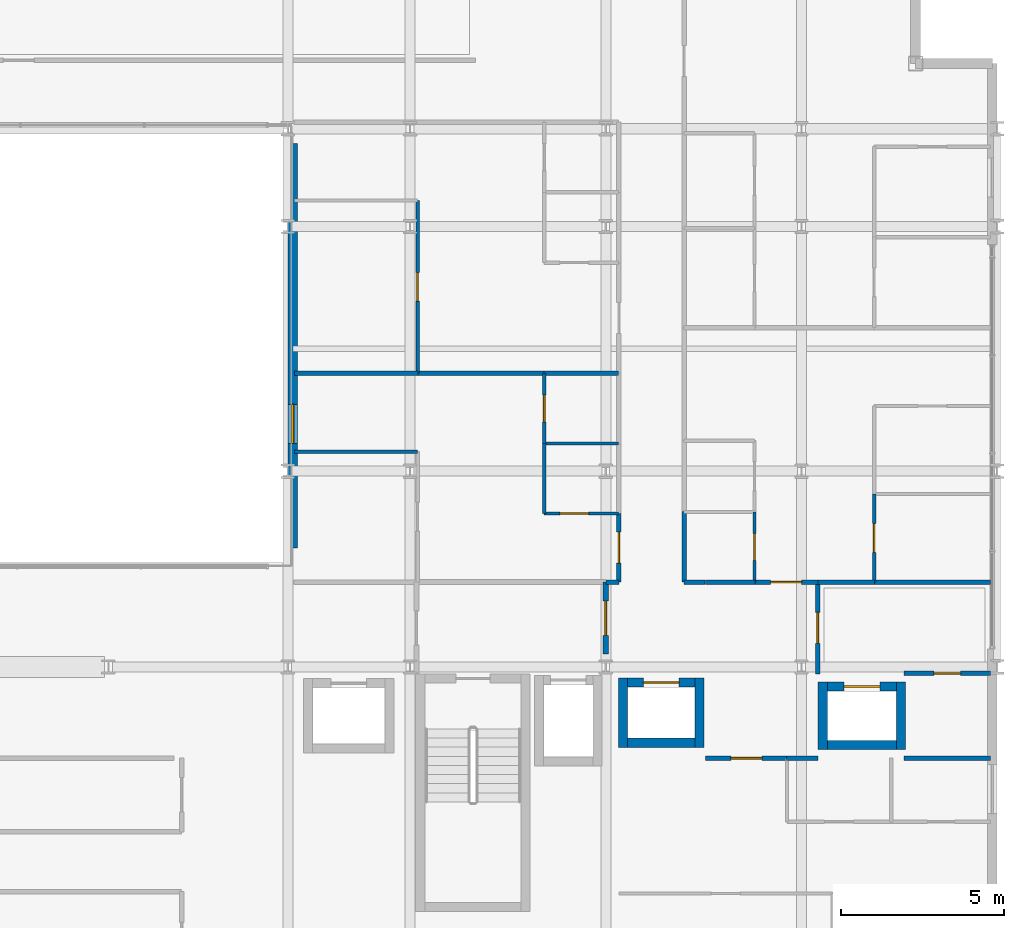
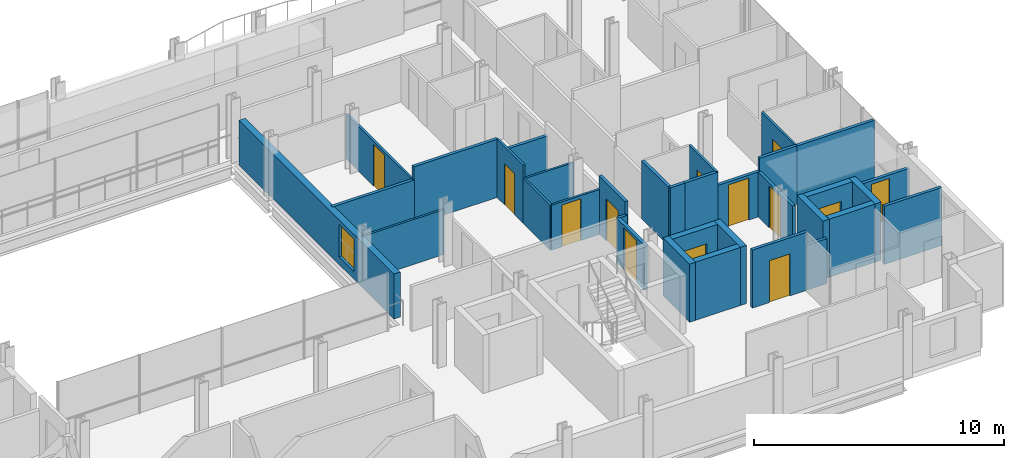
# One storey, part 35 of 41: 34 walls, 13 doors, 1 window, 14 openings.
"""IFC4 building model written with IfcOpenShell, lengths in metres."""

from ifc_helpers import new_model, si_unit, direction, frame, frame_2d, origin, place, context, subcontext, project, spatial, rectangle, extrude, material, layer, layer_set, type_object, element, fill, save


model = new_model("IFC4")

# Units and contexts
model_context = context("Model", 3, precision=1e-05, world=origin(), true_north=direction((0.0, 1.0)))
body_context = subcontext(model_context, "Body", "Model", "MODEL_VIEW")
ifc_project = project(units=[si_unit("LENGTHUNIT", "METRE"), si_unit("AREAUNIT", "SQUARE_METRE"), si_unit("VOLUMEUNIT", "CUBIC_METRE"), si_unit("PLANEANGLEUNIT", "RADIAN"), si_unit("MASSUNIT", "GRAM", prefix="KILO")], contexts=[model_context])

# Site, building, storey
site_placement = place(None, origin())
site = spatial("IfcSite", under=ifc_project, at=site_placement, CompositionType="ELEMENT")
building_placement = place(site_placement, origin())
building = spatial("IfcBuilding", under=site, at=building_placement, Name="Brevholm Reach", CompositionType="ELEMENT")
storey_placement = place(building_placement, frame((0.0, 0.0, 93.10009765625)))
storey = spatial("IfcBuildingStorey", under=building, at=storey_placement, Name="L27", CompositionType="ELEMENT", Elevation=93.10009765625)

# Walls
ifc_material_1 = material(Name="Concrete C50/60", Category="concrete")
ifc_layer_1 = layer(ifc_material_1, 0.280029296875)
ifc_layer_set_1 = layer_set([ifc_layer_1], Name="Concrete C50/60")
wall_type_1 = type_object("IfcWallType", Name="WAL-COR-280", PredefinedType="SHEAR", material=ifc_layer_set_1)
for number, where, z_axis, x_axis, name in (
    (1, (48.52490234375, 7.534912109375, 0.0), (0.0, 0.0, 1.0), (0.0, 1.0, 0.0), "L27 Lift PL-L1 Shaft Wall W"),
    (2, (50.875, 7.534912109375, 0.0), (0.0, 0.0, 1.0), (0.0, 1.0, 0.0), "L27 Lift PL-L1 Shaft Wall E"),
):
    element("IfcWall", number, at=place(storey_placement, frame(where, z_axis=z_axis, x_axis=x_axis)), inside=storey, type_object=wall_type_1, Name=name, PredefinedType="SHEAR", context=body_context, shape_type="SweptSolid", body=[
        extrude(rectangle(XDim=2.130126953125, YDim=0.280029296875, at=frame_2d((1.06494140625, 0.0))), origin(), (0.0, 0.0, 1.0), 2.83984375),
    ])
wall_1_placement = place(storey_placement, frame((48.6650390625, 7.675048828125, 0.0), z_axis=(0.0, 0.0, 1.0), x_axis=(1.0, 0.0, 0.0)))
element("IfcWall", 3, at=wall_1_placement, inside=storey, type_object=wall_type_1, Name="L27 Lift PL-L1 Shaft Wall S", PredefinedType="SHEAR", context=body_context, shape_type="SweptSolid", body=[
    extrude(rectangle(XDim=2.070068359375, YDim=0.280029296875, at=frame_2d((1.03515625, 0.0))), origin(), (0.0, 0.0, 1.0), 2.83984375),
])

# Wall, opening, door
wall_2_placement = place(storey_placement, frame((48.6650390625, 9.52490234375, 0.0), z_axis=(0.0, 0.0, 1.0), x_axis=(1.0, 0.0, 0.0)))
wall_2 = element("IfcWall", 4, at=wall_2_placement, inside=storey, type_object=wall_type_1, Name="L27 Lift PL-L1 Shaft Wall N", PredefinedType="SHEAR", context=body_context, shape_type="SweptSolid", body=[
    extrude(rectangle(XDim=2.070068359375, YDim=0.280029296875, at=frame_2d((1.03515625, 0.0))), origin(), (0.0, 0.0, 1.0), 2.83984375),
])
opening_1_placement = place(wall_2_placement, frame((0.485107421875, 0.0, 0.0)))
opening_1 = element("IfcOpeningElement", 5, at=opening_1_placement, cuts=wall_2, Name="Opening LD-PL-L1", PredefinedType="OPENING", context=body_context, shape_type="SweptSolid", body=[
    extrude(rectangle(XDim=1.10009765625, YDim=2.06005859375, at=frame_2d((0.550048828125, 1.030029296875))), frame((0.0, 0.14990234375, 0.0), z_axis=(0.0, -1.0, 0.0), x_axis=(1.0, 0.0, 0.0)), (0.0, 0.0, 1.0), 0.300048828125),
])
ifc_material_2 = material(Name="Brushed Stainless Steel Fire-Rated Sliding Lift Door", Category="steel")
door_type_1 = type_object("IfcDoorType", Name="DOR-LFT-1100", OperationType="NOTDEFINED", PredefinedType="DOOR", material=ifc_material_2)
door_1_placement = place(opening_1_placement, origin())
door_1 = element("IfcDoor", 6, at=door_1_placement, inside=storey, type_object=door_type_1, Name="L27 Lift PL-L1 Sliding Landing Door", OperationType="SLIDING_TO_LEFT", OverallHeight=2.06005859375, OverallWidth=1.10009765625, PredefinedType="DOOR", context=body_context, shape_type="SweptSolid", body=[
    extrude(rectangle(XDim=1.10009765625, YDim=2.06005859375, at=frame_2d((0.550048828125, 1.030029296875))), frame((0.0, 0.02490234375, 0.0), z_axis=(0.0, -1.0, 0.0), x_axis=(1.0, 0.0, 0.0)), (0.0, 0.0, 1.0), 0.050048828125),
])
fill(opening_1, door_1)

# Walls
for number, where, z_axis, x_axis, name in (
    (7, (54.64990234375, 7.4599609375, 0.0), (0.0, 0.0, 1.0), (0.0, 1.0, 0.0), "L27 Lift PL-L2 Shaft Wall W"),
    (8, (57.050048828125, 7.4599609375, 0.0), (0.0, 0.0, 1.0), (0.0, 1.0, 0.0), "L27 Lift PL-L2 Shaft Wall E"),
):
    element("IfcWall", number, at=place(storey_placement, frame(where, z_axis=z_axis, x_axis=x_axis)), inside=storey, type_object=wall_type_1, Name=name, PredefinedType="SHEAR", context=body_context, shape_type="SweptSolid", body=[
        extrude(rectangle(XDim=2.080078125, YDim=0.280029296875, at=frame_2d((1.0400390625, 0.0))), origin(), (0.0, 0.0, 1.0), 2.83984375),
    ])
wall_3_placement = place(storey_placement, frame((54.7900390625, 7.60009765625, 0.0), z_axis=(0.0, 0.0, 1.0), x_axis=(1.0, 0.0, 0.0)))
element("IfcWall", 9, at=wall_3_placement, inside=storey, type_object=wall_type_1, Name="L27 Lift PL-L2 Shaft Wall S", PredefinedType="SHEAR", context=body_context, shape_type="SweptSolid", body=[
    extrude(rectangle(XDim=2.119873046875, YDim=0.280029296875, at=frame_2d((1.06005859375, 0.0))), origin(), (0.0, 0.0, 1.0), 2.83984375),
])

# Wall, opening, door
wall_4_placement = place(storey_placement, frame((54.7900390625, 9.39990234375, 0.0), z_axis=(0.0, 0.0, 1.0), x_axis=(1.0, 0.0, 0.0)))
wall_4 = element("IfcWall", 10, at=wall_4_placement, inside=storey, type_object=wall_type_1, Name="L27 Lift PL-L2 Shaft Wall N", PredefinedType="SHEAR", context=body_context, shape_type="SweptSolid", body=[
    extrude(rectangle(XDim=2.119873046875, YDim=0.280029296875, at=frame_2d((1.06005859375, 0.0))), origin(), (0.0, 0.0, 1.0), 2.83984375),
])
opening_2_placement = place(wall_4_placement, frame((0.510009765625, 0.0, 0.0)))
opening_2 = element("IfcOpeningElement", 11, at=opening_2_placement, cuts=wall_4, Name="Opening LD-PL-L2", PredefinedType="OPENING", context=body_context, shape_type="SweptSolid", body=[
    extrude(rectangle(XDim=1.10009765625, YDim=2.06005859375, at=frame_2d((0.550048828125, 1.030029296875))), frame((0.0, 0.14990234375, 0.0), z_axis=(0.0, -1.0, 0.0), x_axis=(1.0, 0.0, 0.0)), (0.0, 0.0, 1.0), 0.300048828125),
])
door_2_placement = place(opening_2_placement, origin())
door_2 = element("IfcDoor", 12, at=door_2_placement, inside=storey, type_object=door_type_1, Name="L27 Lift PL-L2 Sliding Landing Door", OperationType="SLIDING_TO_RIGHT", OverallHeight=2.06005859375, OverallWidth=1.10009765625, PredefinedType="DOOR", context=body_context, shape_type="SweptSolid", body=[
    extrude(rectangle(XDim=1.10009765625, YDim=2.06005859375, at=frame_2d((0.550048828125, 1.030029296875))), frame((0.0, 0.02490234375, 0.0), z_axis=(0.0, -1.0, 0.0), x_axis=(1.0, 0.0, 0.0)), (0.0, 0.0, 1.0), 0.050048828125),
])
fill(opening_2, door_2)

# Wall, opening, window
ifc_material_3 = material(Name="Concrete C40/50", Category="concrete")
ifc_layer_2 = layer(ifc_material_3, 0.300048828125)
ifc_layer_set_2 = layer_set([ifc_layer_2], Name="Concrete C40/50")
wall_type_2 = type_object("IfcWallType", Name="WAL-EXT-300", PredefinedType="STANDARD", material=ifc_layer_set_2)
wall_5_placement = place(storey_placement, frame((38.39990234375, 13.64990234375, 0.0), z_axis=(0.0, 0.0, 1.0), x_axis=(0.0, 1.0, 0.0)))
wall_5 = element("IfcWall", 13, at=wall_5_placement, inside=storey, type_object=wall_type_2, Name="L27 Facade Wall WAL-L27-AT-E", PredefinedType="STANDARD", context=body_context, shape_type="SweptSolid", body=[
    extrude(rectangle(XDim=12.400146484375, YDim=0.300048828125, at=frame_2d((6.2001953125, 0.0))), origin(), (0.0, 0.0, 1.0), 2.19482421875),
])
opening_3_placement = place(wall_5_placement, frame((3.199951171875, 0.0, 0.375)))
opening_3 = element("IfcOpeningElement", 14, at=opening_3_placement, cuts=wall_5, Name="Opening WN-08", PredefinedType="OPENING", context=body_context, shape_type="SweptSolid", body=[
    extrude(rectangle(XDim=1.199951171875, YDim=1.60009765625, at=frame_2d((0.60009765625, 0.800048828125))), frame((0.0, 0.159912109375, 0.0), z_axis=(0.0, -1.0, 0.0), x_axis=(1.0, 0.0, 0.0)), (0.0, 0.0, 1.0), 0.320068359375),
])
ifc_material_4 = material(Name="Dark Anodised Aluminium and Solar-Control IGU Glass", Category="aluminium")
window_type = type_object("IfcWindowType", Name="WIN-RES-1200", PartitioningType="SINGLE_PANEL", PredefinedType="WINDOW", material=ifc_material_4)
window_placement = place(opening_3_placement, origin())
window = element("IfcWindow", 15, at=window_placement, inside=storey, type_object=window_type, Name="L27 Window WIN-L27-AT-E1", OverallHeight=1.60009765625, OverallWidth=1.199951171875, PartitioningType="SINGLE_PANEL", PredefinedType="WINDOW", context=body_context, shape_type="SweptSolid", body=[
    extrude(rectangle(XDim=1.199951171875, YDim=1.60009765625, at=frame_2d((0.60009765625, 0.800048828125))), frame((0.0, 0.030029296875, 0.0), z_axis=(0.0, -1.0, 0.0), x_axis=(1.0, 0.0, 0.0)), (0.0, 0.0, 1.0), 0.06005859375),
])
fill(opening_3, window)

# Wall
ifc_material_5 = material(Name="Moisture-Resistant Acoustic Gypsum Stud Partition 100 mm", Category="gypsum")
ifc_layer_3 = layer(ifc_material_5, 0.10009765625)
ifc_layer_set_3 = layer_set([ifc_layer_3], Name="Moisture-Resistant Acoustic Gypsum Stud Partition 100 mm")
wall_type_3 = type_object("IfcWallType", Name="WAL-PRT-100", PredefinedType="PARTITIONING", material=ifc_layer_set_3)
wall_6_placement = place(storey_placement, frame((46.112060546875, 16.85009765625, 0.0), z_axis=(0.0, 0.0, 1.0), x_axis=(1.0, 0.0, 0.0)))
element("IfcWall", 16, at=wall_6_placement, inside=storey, type_object=wall_type_3, Name="L27 Internal Partition 130", PredefinedType="PARTITIONING", context=body_context, shape_type="SweptSolid", body=[
    extrude(rectangle(XDim=2.283935546875, YDim=0.10009765625, at=frame_2d((1.14208984375, 0.0))), origin(), (0.0, 0.0, 1.0), 2.19482421875),
])

# Wall, opening, door
wall_7_placement = place(storey_placement, frame((46.112060546875, 16.85009765625, 0.0), z_axis=(0.0, 0.0, 1.0), x_axis=(0.0, 1.0, 0.0)))
wall_7 = element("IfcWall", 17, at=wall_7_placement, inside=storey, type_object=wall_type_3, Name="L27 Internal Partition 131", PredefinedType="PARTITIONING", context=body_context, shape_type="SweptSolid", body=[
    extrude(rectangle(XDim=2.14990234375, YDim=0.10009765625, at=frame_2d((1.074951171875, 0.0))), origin(), (0.0, 0.0, 1.0), 2.83984375),
])
opening_4_placement = place(wall_7_placement, frame((0.6650390625, 0.0, 0.0)))
opening_4 = element("IfcOpeningElement", 18, at=opening_4_placement, cuts=wall_7, Name="Opening ID-03", PredefinedType="OPENING", context=body_context, shape_type="SweptSolid", body=[
    extrude(rectangle(XDim=0.820068359375, YDim=2.02001953125, at=frame_2d((0.41015625, 1.010009765625))), frame((0.0, 0.06005859375, 0.0), z_axis=(0.0, -1.0, 0.0), x_axis=(1.0, 0.0, 0.0)), (0.0, 0.0, 1.0), 0.1201171875),
])
ifc_material_6 = material(Name="Moisture-Resistant Painted Timber Internal Bathroom Door", Category="wood")
door_type_2 = type_object("IfcDoorType", Name="DOR-BATH-820", OperationType="NOTDEFINED", PredefinedType="DOOR", material=ifc_material_6)
door_3_placement = place(opening_4_placement, origin())
door_3 = element("IfcDoor", 19, at=door_3_placement, inside=storey, type_object=door_type_2, Name="L27 Internal Door 049", OperationType="SINGLE_SWING_RIGHT", OverallHeight=2.02001953125, OverallWidth=0.820068359375, PredefinedType="DOOR", context=body_context, shape_type="SweptSolid", body=[
    extrude(rectangle(XDim=0.820068359375, YDim=2.02001953125, at=frame_2d((0.41015625, 1.010009765625))), frame((0.0, 0.02490234375, 0.0), z_axis=(0.0, -1.0, 0.0), x_axis=(1.0, 0.0, 0.0)), (0.0, 0.0, 1.0), 0.050048828125),
])
fill(opening_4, door_3)

wall_8_placement = place(storey_placement, frame((46.112060546875, 14.699951171875, 0.0), z_axis=(0.0, 0.0, 1.0), x_axis=(1.0, 0.0, 0.0)))
wall_8 = element("IfcWall", 20, at=wall_8_placement, inside=storey, type_object=wall_type_3, Name="L27 Internal Partition 133", PredefinedType="PARTITIONING", context=body_context, shape_type="SweptSolid", body=[
    extrude(rectangle(XDim=2.283935546875, YDim=0.10009765625, at=frame_2d((1.14208984375, 0.0))), origin(), (0.0, 0.0, 1.0), 2.19482421875),
])
opening_5_placement = place(wall_8_placement, frame((0.48193359375, 0.0, 0.0)))
opening_5 = element("IfcOpeningElement", 21, at=opening_5_placement, cuts=wall_8, Name="Opening ID-01", PredefinedType="OPENING", context=body_context, shape_type="SweptSolid", body=[
    extrude(rectangle(XDim=0.8798828125, YDim=2.0400390625, at=frame_2d((0.43994140625, 1.02001953125))), frame((0.0, 0.06005859375, 0.0), z_axis=(0.0, -1.0, 0.0), x_axis=(1.0, 0.0, 0.0)), (0.0, 0.0, 1.0), 0.1201171875),
])
ifc_material_7 = material(Name="Lacquered Ash Solid-Core Acoustic Internal Door", Category="timber")
door_type_3 = type_object("IfcDoorType", Name="DOR-INT-880", OperationType="NOTDEFINED", PredefinedType="DOOR", material=ifc_material_7)
door_4_placement = place(opening_5_placement, origin())
door_4 = element("IfcDoor", 22, at=door_4_placement, inside=storey, type_object=door_type_3, Name="L27 Internal Door 050", OperationType="SINGLE_SWING_LEFT", OverallHeight=2.0400390625, OverallWidth=0.8798828125, PredefinedType="DOOR", context=body_context, shape_type="SweptSolid", body=[
    extrude(rectangle(XDim=0.8798828125, YDim=2.0400390625, at=frame_2d((0.43994140625, 1.02001953125))), frame((0.0, 0.02490234375, 0.0), z_axis=(0.0, -1.0, 0.0), x_axis=(1.0, 0.0, 0.0)), (0.0, 0.0, 1.0), 0.050048828125),
])
fill(opening_5, door_4)

# Walls
wall_9_placement = place(storey_placement, frame((46.112060546875, 14.699951171875, 0.0), z_axis=(0.0, 0.0, 1.0), x_axis=(0.0, 1.0, 0.0)))
element("IfcWall", 23, at=wall_9_placement, inside=storey, type_object=wall_type_3, Name="L27 Internal Partition 134", PredefinedType="PARTITIONING", context=body_context, shape_type="SweptSolid", body=[
    extrude(rectangle(XDim=2.14599609375, YDim=0.10009765625, at=frame_2d((1.072998046875, 0.0))), origin(), (0.0, 0.0, 1.0), 2.19482421875),
])
wall_10_placement = place(storey_placement, frame((38.449951171875, 16.60009765625, 0.0), z_axis=(0.0, 0.0, 1.0), x_axis=(1.0, 0.0, 0.0)))
element("IfcWall", 24, at=wall_10_placement, inside=storey, type_object=wall_type_3, Name="L27 Internal Partition 136", PredefinedType="PARTITIONING", context=body_context, shape_type="SweptSolid", body=[
    extrude(rectangle(XDim=3.781005859375, YDim=0.10009765625, at=frame_2d((1.890625, 0.0))), origin(), (0.0, 0.0, 1.0), 2.19482421875),
])

# Wall, opening, door
wall_11_placement = place(storey_placement, frame((42.23095703125, 19.00390625, 0.0), z_axis=(0.0, 0.0, 1.0), x_axis=(0.0, 1.0, 0.0)))
wall_11 = element("IfcWall", 25, at=wall_11_placement, inside=storey, type_object=wall_type_3, Name="L27 Internal Partition 143", PredefinedType="PARTITIONING", context=body_context, shape_type="SweptSolid", body=[
    extrude(rectangle(XDim=5.296142578125, YDim=0.10009765625, at=frame_2d((2.64794921875, 0.0))), origin(), (0.0, 0.0, 1.0), 2.19482421875),
])
opening_6_placement = place(wall_11_placement, frame((2.2080078125, 0.0, 0.0)))
opening_6 = element("IfcOpeningElement", 26, at=opening_6_placement, cuts=wall_11, Name="Opening ID-01", PredefinedType="OPENING", context=body_context, shape_type="SweptSolid", body=[
    extrude(rectangle(XDim=0.8798828125, YDim=2.0400390625, at=frame_2d((0.43994140625, 1.02001953125))), frame((0.0, 0.06005859375, 0.0), z_axis=(0.0, -1.0, 0.0), x_axis=(1.0, 0.0, 0.0)), (0.0, 0.0, 1.0), 0.1201171875),
])
door_5_placement = place(opening_6_placement, origin())
door_5 = element("IfcDoor", 27, at=door_5_placement, inside=storey, type_object=door_type_3, Name="L27 Internal Door 054", OperationType="SINGLE_SWING_LEFT", OverallHeight=2.0400390625, OverallWidth=0.8798828125, PredefinedType="DOOR", context=body_context, shape_type="SweptSolid", body=[
    extrude(rectangle(XDim=0.8798828125, YDim=2.0400390625, at=frame_2d((0.43994140625, 1.02001953125))), frame((0.0, 0.02490234375, 0.0), z_axis=(0.0, -1.0, 0.0), x_axis=(1.0, 0.0, 0.0)), (0.0, 0.0, 1.0), 0.050048828125),
])
fill(opening_6, door_5)

wall_12_placement = place(storey_placement, frame((52.56201171875, 12.60400390625, 0.0), z_axis=(0.0, 0.0, 1.0), x_axis=(0.0, 1.0, 0.0)))
wall_12 = element("IfcWall", 28, at=wall_12_placement, inside=storey, type_object=wall_type_3, Name="L27 Internal Partition 146", PredefinedType="PARTITIONING", context=body_context, shape_type="SweptSolid", body=[
    extrude(rectangle(XDim=2.14599609375, YDim=0.10009765625, at=frame_2d((1.072998046875, 0.0))), origin(), (0.0, 0.0, 1.0), 2.83984375),
])
opening_7_placement = place(wall_12_placement, frame((0.6630859375, 0.0, 0.0)))
opening_7 = element("IfcOpeningElement", 29, at=opening_7_placement, cuts=wall_12, Name="Opening ID-03", PredefinedType="OPENING", context=body_context, shape_type="SweptSolid", body=[
    extrude(rectangle(XDim=0.820068359375, YDim=2.02001953125, at=frame_2d((0.41015625, 1.010009765625))), frame((0.0, 0.06005859375, 0.0), z_axis=(0.0, -1.0, 0.0), x_axis=(1.0, 0.0, 0.0)), (0.0, 0.0, 1.0), 0.1201171875),
])
door_6_placement = place(opening_7_placement, origin())
door_6 = element("IfcDoor", 30, at=door_6_placement, inside=storey, type_object=door_type_2, Name="L27 Internal Door 055", OperationType="SINGLE_SWING_RIGHT", OverallHeight=2.02001953125, OverallWidth=0.820068359375, PredefinedType="DOOR", context=body_context, shape_type="SweptSolid", body=[
    extrude(rectangle(XDim=0.820068359375, YDim=2.02001953125, at=frame_2d((0.41015625, 1.010009765625))), frame((0.0, 0.02490234375, 0.0), z_axis=(0.0, -1.0, 0.0), x_axis=(1.0, 0.0, 0.0)), (0.0, 0.0, 1.0), 0.050048828125),
])
fill(opening_7, door_6)

wall_13_placement = place(storey_placement, frame((56.22802734375, 12.60400390625, 0.0), z_axis=(0.0, 0.0, 1.0), x_axis=(0.0, 1.0, 0.0)))
wall_13 = element("IfcWall", 31, at=wall_13_placement, inside=storey, type_object=wall_type_3, Name="L27 Internal Partition 150", PredefinedType="PARTITIONING", context=body_context, shape_type="SweptSolid", body=[
    extrude(rectangle(XDim=2.696044921875, YDim=0.10009765625, at=frame_2d((1.34814453125, 0.0))), origin(), (0.0, 0.0, 1.0), 2.83984375),
])
opening_8_placement = place(wall_13_placement, frame((0.907958984375, 0.0, 0.0)))
opening_8 = element("IfcOpeningElement", 32, at=opening_8_placement, cuts=wall_13, Name="Opening ID-01", PredefinedType="OPENING", context=body_context, shape_type="SweptSolid", body=[
    extrude(rectangle(XDim=0.8798828125, YDim=2.0400390625, at=frame_2d((0.43994140625, 1.02001953125))), frame((0.0, 0.06005859375, 0.0), z_axis=(0.0, -1.0, 0.0), x_axis=(1.0, 0.0, 0.0)), (0.0, 0.0, 1.0), 0.1201171875),
])
door_7_placement = place(opening_8_placement, origin())
door_7 = element("IfcDoor", 33, at=door_7_placement, inside=storey, type_object=door_type_3, Name="L27 Internal Door 057", OperationType="SINGLE_SWING_RIGHT", OverallHeight=2.0400390625, OverallWidth=0.8798828125, PredefinedType="DOOR", context=body_context, shape_type="SweptSolid", body=[
    extrude(rectangle(XDim=0.8798828125, YDim=2.0400390625, at=frame_2d((0.43994140625, 1.02001953125))), frame((0.0, 0.02490234375, 0.0), z_axis=(0.0, -1.0, 0.0), x_axis=(1.0, 0.0, 0.0)), (0.0, 0.0, 1.0), 0.050048828125),
])
fill(opening_8, door_7)

ifc_material_8 = material(Name="Twin-Stud Acoustic Fire-Rated Gypsum Partition 140 mm", Category="gypsum")
ifc_layer_4 = layer(ifc_material_8, 0.139892578125)
ifc_layer_set_4 = layer_set([ifc_layer_4], Name="Twin-Stud Acoustic Fire-Rated Gypsum Partition 140 mm")
wall_type_4 = type_object("IfcWallType", Name="WAL-PRT-140", PredefinedType="PARTITIONING", material=ifc_layer_set_4)
wall_14_placement = place(storey_placement, frame((54.5, 9.788818359375, 0.0), z_axis=(0.0, 0.0, 1.0), x_axis=(0.0, 1.0, 0.0)))
wall_14 = element("IfcWall", 34, at=wall_14_placement, inside=storey, type_object=wall_type_4, Name="L27 Internal Partition 013", PredefinedType="PARTITIONING", context=body_context, shape_type="SweptSolid", body=[
    extrude(rectangle(XDim=2.811279296875, YDim=0.139892578125, at=frame_2d((1.40576171875, 0.0))), origin(), (0.0, 0.0, 1.0), 2.19482421875),
])
opening_9_placement = place(wall_14_placement, frame((0.9306640625, 0.0, 0.0)))
opening_9 = element("IfcOpeningElement", 35, at=opening_9_placement, cuts=wall_14, Name="Opening ID-30", PredefinedType="OPENING", context=body_context, shape_type="SweptSolid", body=[
    extrude(rectangle(XDim=0.949951171875, YDim=2.050048828125, at=frame_2d((0.47509765625, 1.02490234375))), frame((0.0, 0.079833984375, 0.0), z_axis=(0.0, -1.0, 0.0), x_axis=(1.0, 0.0, 0.0)), (0.0, 0.0, 1.0), 0.159912109375),
])
ifc_material_9 = material(Name="European Oak Veneered Solid-Core Fire Entrance Door", Category="timber")
door_type_4 = type_object("IfcDoorType", Name="DOR-FLT-FD30S", OperationType="NOTDEFINED", PredefinedType="DOOR", material=ifc_material_9)
door_8_placement = place(opening_9_placement, origin())
door_8 = element("IfcDoor", 36, at=door_8_placement, inside=storey, type_object=door_type_4, Name="L27 Internal Door 008", OperationType="SINGLE_SWING_LEFT", OverallHeight=2.050048828125, OverallWidth=0.949951171875, PredefinedType="DOOR", context=body_context, shape_type="SweptSolid", body=[
    extrude(rectangle(XDim=0.949951171875, YDim=2.050048828125, at=frame_2d((0.47509765625, 1.02490234375))), frame((0.0, 0.02490234375, 0.0), z_axis=(0.0, -1.0, 0.0), x_axis=(1.0, 0.0, 0.0)), (0.0, 0.0, 1.0), 0.050048828125),
])
fill(opening_9, door_8)

# Wall
wall_15_placement = place(storey_placement, frame((53.546630859375, 7.199951171875, 0.0), z_axis=(0.0, 0.0, 1.0), x_axis=(1.0, 0.0, 0.0)))
element("IfcWall", 37, at=wall_15_placement, inside=storey, type_object=wall_type_4, Name="L27 Internal Partition 014", PredefinedType="PARTITIONING", context=body_context, shape_type="SweptSolid", body=[
    extrude(rectangle(XDim=0.953369140625, YDim=0.139892578125, at=frame_2d((0.4765625, 0.0))), origin(), (0.0, 0.0, 1.0), 2.19482421875),
])

# Wall, opening, door
wall_16_placement = place(storey_placement, frame((51.050048828125, 7.199951171875, 0.0), z_axis=(0.0, 0.0, 1.0), x_axis=(1.0, 0.0, 0.0)))
wall_16 = element("IfcWall", 38, at=wall_16_placement, inside=storey, type_object=wall_type_4, Name="L27 Internal Partition 015", PredefinedType="PARTITIONING", context=body_context, shape_type="SweptSolid", body=[
    extrude(rectangle(XDim=2.51513671875, YDim=0.139892578125, at=frame_2d((1.257568359375, 0.0))), origin(), (0.0, 0.0, 1.0), 2.83984375),
])
opening_10_placement = place(wall_16_placement, frame((0.78271484375, 0.0, 0.0)))
opening_10 = element("IfcOpeningElement", 39, at=opening_10_placement, cuts=wall_16, Name="Opening ID-30", PredefinedType="OPENING", context=body_context, shape_type="SweptSolid", body=[
    extrude(rectangle(XDim=0.949951171875, YDim=2.050048828125, at=frame_2d((0.47509765625, 1.02490234375))), frame((0.0, 0.079833984375, 0.0), z_axis=(0.0, -1.0, 0.0), x_axis=(1.0, 0.0, 0.0)), (0.0, 0.0, 1.0), 0.159912109375),
])
door_9_placement = place(opening_10_placement, origin())
door_9 = element("IfcDoor", 40, at=door_9_placement, inside=storey, type_object=door_type_4, Name="L27 Internal Door 009", OperationType="SINGLE_SWING_RIGHT", OverallHeight=2.050048828125, OverallWidth=0.949951171875, PredefinedType="DOOR", context=body_context, shape_type="SweptSolid", body=[
    extrude(rectangle(XDim=0.949951171875, YDim=2.050048828125, at=frame_2d((0.47509765625, 1.02490234375))), frame((0.0, 0.02490234375, 0.0), z_axis=(0.0, -1.0, 0.0), x_axis=(1.0, 0.0, 0.0)), (0.0, 0.0, 1.0), 0.050048828125),
])
fill(opening_10, door_9)

# Wall
wall_17_placement = place(storey_placement, frame((51.050048828125, 12.60009765625, 0.0), z_axis=(0.0, 0.0, 1.0), x_axis=(1.0, 0.0, 0.0)))
element("IfcWall", 41, at=wall_17_placement, inside=storey, type_object=wall_type_4, Name="L27 Internal Partition 016", PredefinedType="PARTITIONING", context=body_context, shape_type="SweptSolid", body=[
    extrude(rectangle(XDim=1.523193359375, YDim=0.139892578125, at=frame_2d((0.76171875, 0.0))), origin(), (0.0, 0.0, 1.0), 2.83984375),
])

# Wall, opening, door
wall_18_placement = place(storey_placement, frame((52.5546875, 12.60009765625, 0.0), z_axis=(0.0, 0.0, 1.0), x_axis=(1.0, 0.0, 0.0)))
wall_18 = element("IfcWall", 42, at=wall_18_placement, inside=storey, type_object=wall_type_4, Name="L27 Internal Partition 017", PredefinedType="PARTITIONING", context=body_context, shape_type="SweptSolid", body=[
    extrude(rectangle(XDim=1.9453125, YDim=0.139892578125, at=frame_2d((0.97265625, 0.0))), origin(), (0.0, 0.0, 1.0), 2.19482421875),
])
opening_11_placement = place(wall_18_placement, frame((0.497802734375, 0.0, 0.0)))
opening_11 = element("IfcOpeningElement", 43, at=opening_11_placement, cuts=wall_18, Name="Opening ID-30", PredefinedType="OPENING", context=body_context, shape_type="SweptSolid", body=[
    extrude(rectangle(XDim=0.949951171875, YDim=2.050048828125, at=frame_2d((0.47509765625, 1.02490234375))), frame((0.0, 0.079833984375, 0.0), z_axis=(0.0, -1.0, 0.0), x_axis=(1.0, 0.0, 0.0)), (0.0, 0.0, 1.0), 0.159912109375),
])
door_10_placement = place(opening_11_placement, origin())
door_10 = element("IfcDoor", 44, at=door_10_placement, inside=storey, type_object=door_type_4, Name="L27 Internal Door 010", OperationType="SINGLE_SWING_LEFT", OverallHeight=2.050048828125, OverallWidth=0.949951171875, PredefinedType="DOOR", context=body_context, shape_type="SweptSolid", body=[
    extrude(rectangle(XDim=0.949951171875, YDim=2.050048828125, at=frame_2d((0.47509765625, 1.02490234375))), frame((0.0, 0.02490234375, 0.0), z_axis=(0.0, -1.0, 0.0), x_axis=(1.0, 0.0, 0.0)), (0.0, 0.0, 1.0), 0.050048828125),
])
fill(opening_11, door_10)

# Walls
wall_19_placement = place(storey_placement, frame((48.00390625, 12.60009765625, 0.0), z_axis=(0.0, 0.0, 1.0), x_axis=(1.0, 0.0, 0.0)))
element("IfcWall", 45, at=wall_19_placement, inside=storey, type_object=wall_type_4, Name="L27 Internal Partition 033", PredefinedType="PARTITIONING", context=body_context, shape_type="SweptSolid", body=[
    extrude(rectangle(XDim=0.4033203125, YDim=0.139892578125, at=frame_2d((0.20166015625, 0.0))), origin(), (0.0, 0.0, 1.0), 2.19482421875),
])
wall_20_placement = place(storey_placement, frame((50.392578125, 12.60009765625, 0.0), z_axis=(0.0, 0.0, 1.0), x_axis=(1.0, 0.0, 0.0)))
element("IfcWall", 46, at=wall_20_placement, inside=storey, type_object=wall_type_4, Name="L27 Internal Partition 034", PredefinedType="PARTITIONING", context=body_context, shape_type="SweptSolid", body=[
    extrude(rectangle(XDim=0.6533203125, YDim=0.139892578125, at=frame_2d((0.32666015625, 0.0))), origin(), (0.0, 0.0, 1.0), 2.83984375),
])

# Wall, opening, door
wall_21_placement = place(storey_placement, frame((48.39990234375, 12.60400390625, 0.0), z_axis=(0.0, 0.0, 1.0), x_axis=(0.0, 1.0, 0.0)))
wall_21 = element("IfcWall", 47, at=wall_21_placement, inside=storey, type_object=wall_type_4, Name="L27 Internal Partition 052", PredefinedType="PARTITIONING", context=body_context, shape_type="SweptSolid", body=[
    extrude(rectangle(XDim=2.103271484375, YDim=0.139892578125, at=frame_2d((1.0517578125, 0.0))), origin(), (0.0, 0.0, 1.0), 2.83984375),
])
opening_12_placement = place(wall_21_placement, frame((0.57666015625, 0.0, 0.0)))
opening_12 = element("IfcOpeningElement", 48, at=opening_12_placement, cuts=wall_21, Name="Opening ID-30", PredefinedType="OPENING", context=body_context, shape_type="SweptSolid", body=[
    extrude(rectangle(XDim=0.949951171875, YDim=2.050048828125, at=frame_2d((0.47509765625, 1.02490234375))), frame((0.0, 0.079833984375, 0.0), z_axis=(0.0, -1.0, 0.0), x_axis=(1.0, 0.0, 0.0)), (0.0, 0.0, 1.0), 0.159912109375),
])
door_11_placement = place(opening_12_placement, origin())
door_11 = element("IfcDoor", 49, at=door_11_placement, inside=storey, type_object=door_type_4, Name="L27 Internal Door 022", OperationType="SINGLE_SWING_LEFT", OverallHeight=2.050048828125, OverallWidth=0.949951171875, PredefinedType="DOOR", context=body_context, shape_type="SweptSolid", body=[
    extrude(rectangle(XDim=0.949951171875, YDim=2.050048828125, at=frame_2d((0.47509765625, 1.02490234375))), frame((0.0, 0.02490234375, 0.0), z_axis=(0.0, -1.0, 0.0), x_axis=(1.0, 0.0, 0.0)), (0.0, 0.0, 1.0), 0.050048828125),
])
fill(opening_12, door_11)

# Wall
wall_22_placement = place(storey_placement, frame((50.39990234375, 12.60400390625, 0.0), z_axis=(0.0, 0.0, 1.0), x_axis=(0.0, 1.0, 0.0)))
element("IfcWall", 50, at=wall_22_placement, inside=storey, type_object=wall_type_4, Name="L27 Internal Partition 056", PredefinedType="PARTITIONING", context=body_context, shape_type="SweptSolid", body=[
    extrude(rectangle(XDim=2.1572265625, YDim=0.139892578125, at=frame_2d((1.07861328125, 0.0))), origin(), (0.0, 0.0, 1.0), 2.83984375),
])

# Wall, opening, door
wall_23_placement = place(storey_placement, frame((57.138671875, 9.800048828125, 0.0), z_axis=(0.0, 0.0, 1.0), x_axis=(1.0, 0.0, 0.0)))
wall_23 = element("IfcWall", 51, at=wall_23_placement, inside=storey, type_object=wall_type_4, Name="L27 Internal Partition 080", PredefinedType="PARTITIONING", context=body_context, shape_type="SweptSolid", body=[
    extrude(rectangle(XDim=2.661376953125, YDim=0.139892578125, at=frame_2d((1.33056640625, 0.0))), origin(), (0.0, 0.0, 1.0), 2.19482421875),
])
opening_13_placement = place(wall_23_placement, frame((0.920654296875, 0.0, 0.0)))
opening_13 = element("IfcOpeningElement", 52, at=opening_13_placement, cuts=wall_23, Name="Opening ID-02", PredefinedType="OPENING", context=body_context, shape_type="SweptSolid", body=[
    extrude(rectangle(XDim=0.820068359375, YDim=2.02001953125, at=frame_2d((0.41015625, 1.010009765625))), frame((0.0, 0.079833984375, 0.0), z_axis=(0.0, -1.0, 0.0), x_axis=(1.0, 0.0, 0.0)), (0.0, 0.0, 1.0), 0.159912109375),
])
ifc_material_10 = material(Name="Moisture-Resistant Painted Timber Fire-Rated Riser and Service Door", Category="wood")
door_type_5 = type_object("IfcDoorType", Name="DOR-SRV-820", OperationType="NOTDEFINED", PredefinedType="DOOR", material=ifc_material_10)
door_12_placement = place(opening_13_placement, origin())
door_12 = element("IfcDoor", 53, at=door_12_placement, inside=storey, type_object=door_type_5, Name="L27 Access Door 063", OperationType="SINGLE_SWING_RIGHT", OverallHeight=2.02001953125, OverallWidth=0.820068359375, PredefinedType="DOOR", context=body_context, shape_type="SweptSolid", body=[
    extrude(rectangle(XDim=0.820068359375, YDim=2.02001953125, at=frame_2d((0.41015625, 1.010009765625))), frame((0.0, 0.02490234375, 0.0), z_axis=(0.0, -1.0, 0.0), x_axis=(1.0, 0.0, 0.0)), (0.0, 0.0, 1.0), 0.050048828125),
])
fill(opening_13, door_12)

# Walls
wall_24_placement = place(storey_placement, frame((56.216796875, 12.60009765625, 0.0), z_axis=(0.0, 0.0, 1.0), x_axis=(1.0, 0.0, 0.0)))
element("IfcWall", 54, at=wall_24_placement, inside=storey, type_object=wall_type_4, Name="L27 Internal Partition 081", PredefinedType="PARTITIONING", context=body_context, shape_type="SweptSolid", body=[
    extrude(rectangle(XDim=3.583251953125, YDim=0.139892578125, at=frame_2d((1.79150390625, 0.0))), origin(), (0.0, 0.0, 1.0), 2.83984375),
])
wall_25_placement = place(storey_placement, frame((54.50390625, 12.60009765625, 0.0), z_axis=(0.0, 0.0, 1.0), x_axis=(1.0, 0.0, 0.0)))
element("IfcWall", 55, at=wall_25_placement, inside=storey, type_object=wall_type_4, Name="L27 Internal Partition 082", PredefinedType="PARTITIONING", context=body_context, shape_type="SweptSolid", body=[
    extrude(rectangle(XDim=1.7314453125, YDim=0.139892578125, at=frame_2d((0.86572265625, 0.0))), origin(), (0.0, 0.0, 1.0), 2.83984375),
])
wall_26_placement = place(storey_placement, frame((57.14990234375, 7.199951171875, 0.0), z_axis=(0.0, 0.0, 1.0), x_axis=(1.0, 0.0, 0.0)))
element("IfcWall", 56, at=wall_26_placement, inside=storey, type_object=wall_type_4, Name="L27 Internal Partition 083", PredefinedType="PARTITIONING", context=body_context, shape_type="SweptSolid", body=[
    extrude(rectangle(XDim=2.650146484375, YDim=0.139892578125, at=frame_2d((1.3251953125, 0.0))), origin(), (0.0, 0.0, 1.0), 2.83984375),
])
wall_27_placement = place(storey_placement, frame((46.112060546875, 19.0, 0.0), z_axis=(0.0, 0.0, 1.0), x_axis=(1.0, 0.0, 0.0)))
element("IfcWall", 57, at=wall_27_placement, inside=storey, type_object=wall_type_4, Name="L27 Internal Partition 132", PredefinedType="PARTITIONING", context=body_context, shape_type="SweptSolid", body=[
    extrude(rectangle(XDim=2.283935546875, YDim=0.139892578125, at=frame_2d((1.14208984375, 0.0))), origin(), (0.0, 0.0, 1.0), 2.19482421875),
])
wall_28_placement = place(storey_placement, frame((38.449951171875, 19.0, 0.0), z_axis=(0.0, 0.0, 1.0), x_axis=(1.0, 0.0, 0.0)))
element("IfcWall", 58, at=wall_28_placement, inside=storey, type_object=wall_type_4, Name="L27 Internal Partition 137", PredefinedType="PARTITIONING", context=body_context, shape_type="SweptSolid", body=[
    extrude(rectangle(XDim=3.792236328125, YDim=0.139892578125, at=frame_2d((1.89599609375, 0.0))), origin(), (0.0, 0.0, 1.0), 2.19482421875),
])
wall_29_placement = place(storey_placement, frame((42.2236328125, 19.0, 0.0), z_axis=(0.0, 0.0, 1.0), x_axis=(1.0, 0.0, 0.0)))
element("IfcWall", 59, at=wall_29_placement, inside=storey, type_object=wall_type_4, Name="L27 Internal Partition 138", PredefinedType="PARTITIONING", context=body_context, shape_type="SweptSolid", body=[
    extrude(rectangle(XDim=3.88427734375, YDim=0.139892578125, at=frame_2d((1.942138671875, 0.0))), origin(), (0.0, 0.0, 1.0), 2.83984375),
])

# Wall, opening, door
ifc_material_11 = material(Name="Twin-Frame Fire-Rated Gypsum Board and Mineral Wool 160 mm", Category="gypsum")
ifc_layer_5 = layer(ifc_material_11, 0.159912109375)
ifc_layer_set_5 = layer_set([ifc_layer_5], Name="Twin-Frame Fire-Rated Gypsum Board and Mineral Wool 160 mm")
wall_type_5 = type_object("IfcWallType", Name="WAL-PRT-160", PredefinedType="PARTITIONING", material=ifc_layer_set_5)
wall_30_placement = place(storey_placement, frame((48.0, 10.388671875, 0.0), z_axis=(0.0, 0.0, 1.0), x_axis=(0.0, 1.0, 0.0)))
wall_30 = element("IfcWall", 60, at=wall_30_placement, inside=storey, type_object=wall_type_5, Name="L27 Internal Partition 025", PredefinedType="PARTITIONING", context=body_context, shape_type="SweptSolid", body=[
    extrude(rectangle(XDim=2.21142578125, YDim=0.159912109375, at=frame_2d((1.105712890625, 0.0))), origin(), (0.0, 0.0, 1.0), 2.19482421875),
])
opening_14_placement = place(wall_30_placement, frame((0.58056640625, 0.0, 0.0)))
opening_14 = element("IfcOpeningElement", 61, at=opening_14_placement, cuts=wall_30, Name="Opening FD-01", PredefinedType="OPENING", context=body_context, shape_type="SweptSolid", body=[
    extrude(rectangle(XDim=1.050048828125, YDim=2.06005859375, at=frame_2d((0.52490234375, 1.030029296875))), frame((0.0, 0.08984375, 0.0), z_axis=(0.0, -1.0, 0.0), x_axis=(1.0, 0.0, 0.0)), (0.0, 0.0, 1.0), 0.179931640625),
])
ifc_material_12 = material(Name="Hardwood-Lipped Steel-Core Fire and Smoke Door", Category="steel")
door_type_6 = type_object("IfcDoorType", Name="DOR-INT-FD60S", OperationType="NOTDEFINED", PredefinedType="DOOR", material=ifc_material_12)
door_13_placement = place(opening_14_placement, origin())
door_13 = element("IfcDoor", 62, at=door_13_placement, inside=storey, type_object=door_type_6, Name="L27 Internal Door 014", OperationType="SINGLE_SWING_LEFT", OverallHeight=2.06005859375, OverallWidth=1.050048828125, PredefinedType="DOOR", context=body_context, shape_type="SweptSolid", body=[
    extrude(rectangle(XDim=1.050048828125, YDim=2.06005859375, at=frame_2d((0.52490234375, 1.030029296875))), frame((0.0, 0.02490234375, 0.0), z_axis=(0.0, -1.0, 0.0), x_axis=(1.0, 0.0, 0.0)), (0.0, 0.0, 1.0), 0.050048828125),
])
fill(opening_14, door_13)

save(model, "model.ifc")
